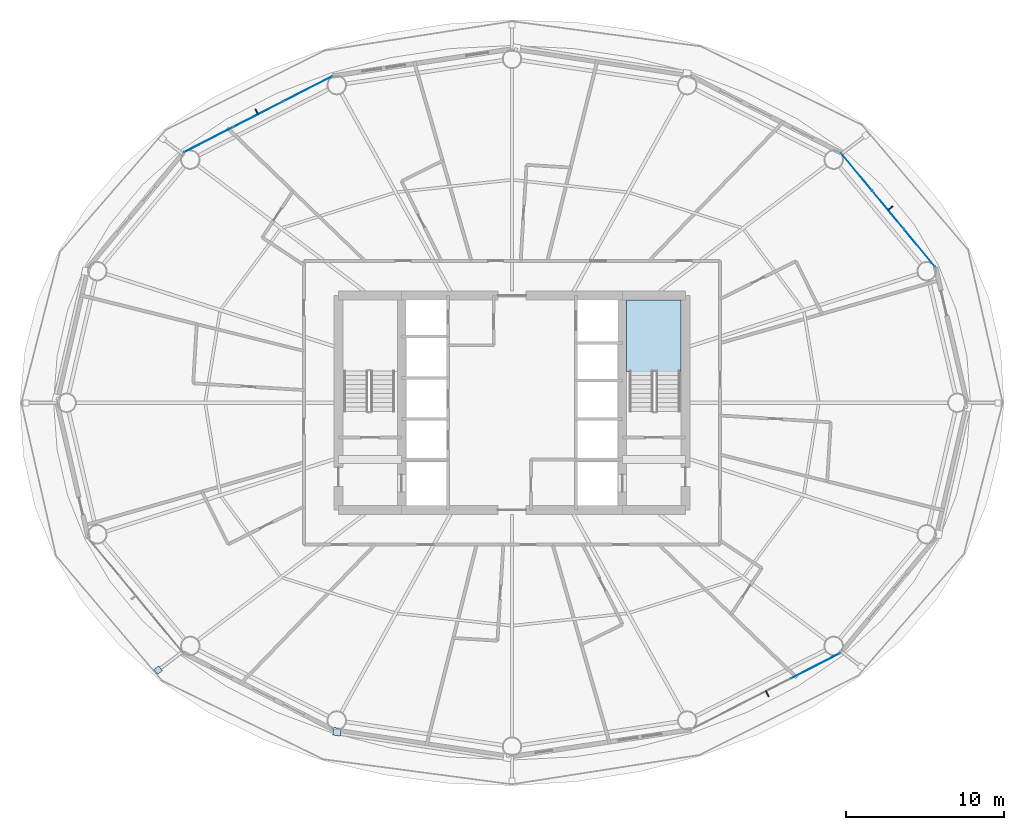
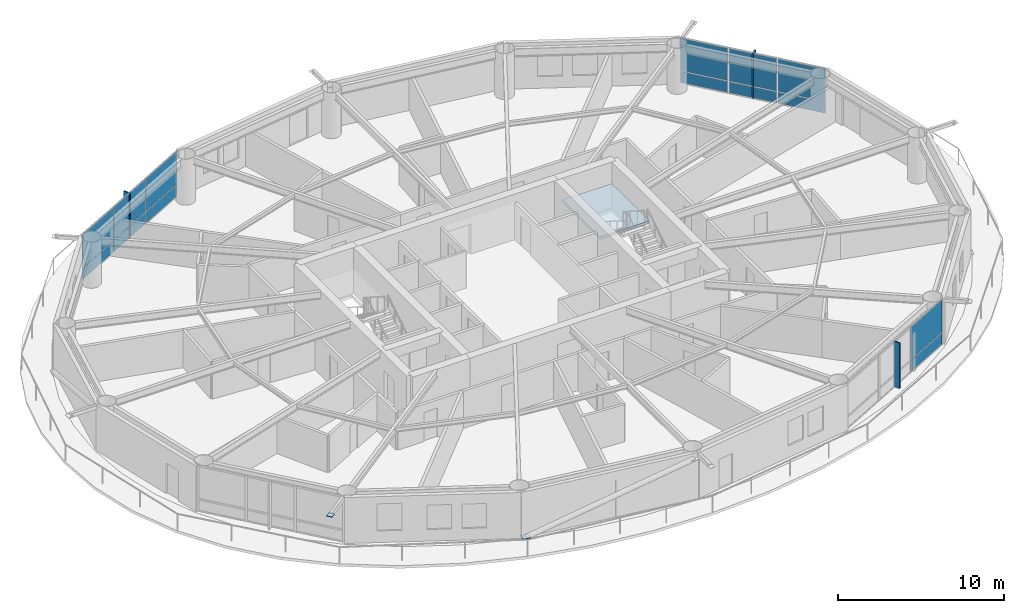
# One storey, part 16 of 24: 19 plates, 1 slab, 4 elements without a shape of their own.
"""IFC4 building model written with IfcOpenShell, lengths in metres."""

from ifc_helpers import new_model, si_unit, direction, frame, origin, origin_2d, place, context, subcontext, project, spatial, polyline, rectangle, outline, extrude, material, layer, layer_set, type_object, element, aggregate, save


model = new_model("IFC4")

# Units and contexts
model_context = context("Model", 3, precision=1e-05, world=origin(), true_north=direction((0.0, 1.0)))
body_context = subcontext(model_context, "Body", "Model", "MODEL_VIEW")
ifc_project = project(units=[si_unit("LENGTHUNIT", "METRE"), si_unit("AREAUNIT", "SQUARE_METRE"), si_unit("VOLUMEUNIT", "CUBIC_METRE"), si_unit("PLANEANGLEUNIT", "RADIAN"), si_unit("MASSUNIT", "GRAM", prefix="KILO")], contexts=[model_context])

# Site, building, storey
site_placement = place(None, origin())
site = spatial("IfcSite", under=ifc_project, at=site_placement, CompositionType="ELEMENT")
building_placement = place(site_placement, origin())
building = spatial("IfcBuilding", under=site, at=building_placement, Name="Sarneth Arch Tower", CompositionType="ELEMENT")
storey_placement = place(building_placement, frame((0.0, 0.0, 98.39990234375)))
storey = spatial("IfcBuildingStorey", under=building, at=storey_placement, Name="L24", CompositionType="ELEMENT", Elevation=98.39990234375)

# Curtain wall, plates
ifc_material_1 = material(Name="Anodised aluminium Type AA25 and solar-control low-e laminated IGU", Category="aluminium")
ifc_layer_1 = layer(ifc_material_1, 0.159912109375)
ifc_layer_set_1 = layer_set([ifc_layer_1], Name="Anodised aluminium Type AA25 and solar-control low-e laminated IGU")
curtain_wall_type = type_object("IfcCurtainWallType", Name="CW-HOTEL-MID", PredefinedType="NOTDEFINED", material=ifc_layer_set_1)
curtain_wall_1_placement = place(storey_placement, origin())
curtain_wall_1 = element("IfcCurtainWall", 1, at=curtain_wall_1_placement, inside=storey, type_object=curtain_wall_type, Name="L24 Unitised curtain wall facet 02", PredefinedType="NOTDEFINED")
ifc_material_2 = material(Name="Solar-control low-e laminated IGU", Category="glass")
ifc_layer_2 = layer(ifc_material_2, 0.028076171875)
ifc_layer_set_2 = layer_set([ifc_layer_2], Name="Solar-control low-e laminated IGU")
plate_type_1 = type_object("IfcPlateType", Name="CW-PANEL", PredefinedType="CURTAIN_PANEL", material=ifc_layer_set_2)
plate_1_placement = place(storey_placement, frame((73.84814453125, 51.807861328125, 0.06005859375), z_axis=(0.0, 0.0, 1.0), x_axis=(-0.637515188684, 0.770437787363, 0.0)))
plate_1 = element("IfcPlate", 2, at=plate_1_placement, type_object=plate_type_1, Name="Curtain wall glazed vision pane CW-L24-F02/P00-00", PredefinedType="CURTAIN_PANEL", context=body_context, shape_type="SweptSolid", body=[
    extrude(rectangle(XDim=3.058349609375, YDim=0.028076171875, at=origin_2d()), origin(), (0.0, 0.0, 1.0), 0.81005859375),
])
plate_2_placement = place(storey_placement, frame((73.84814453125, 51.807861328125, 0.93017578125), z_axis=(0.0, 0.0, 1.0), x_axis=(-0.637515188684, 0.770437787363, 0.0)))
plate_2 = element("IfcPlate", 3, at=plate_2_placement, type_object=plate_type_1, Name="Curtain wall glazed vision pane CW-L24-F02/P00-01", PredefinedType="CURTAIN_PANEL", context=body_context, shape_type="SweptSolid", body=[
    extrude(rectangle(XDim=3.058349609375, YDim=0.028076171875, at=origin_2d()), origin(), (0.0, 0.0, 1.0), 2.389892578125),
])
plate_3_placement = place(storey_placement, frame((71.8505859375, 54.221923828125, 0.06005859375), z_axis=(0.0, 0.0, 1.0), x_axis=(-0.637515188684, 0.770437787363, 0.0)))
plate_3 = element("IfcPlate", 4, at=plate_3_placement, type_object=plate_type_1, Name="Curtain wall glazed vision pane CW-L24-F02/P01-00", PredefinedType="CURTAIN_PANEL", context=body_context, shape_type="SweptSolid", body=[
    extrude(rectangle(XDim=3.08837890625, YDim=0.028076171875, at=origin_2d()), origin(), (0.0, 0.0, 1.0), 0.81005859375),
])
plate_4_placement = place(storey_placement, frame((71.8505859375, 54.221923828125, 0.93017578125), z_axis=(0.0, 0.0, 1.0), x_axis=(-0.637515188684, 0.770437787363, 0.0)))
plate_4 = element("IfcPlate", 5, at=plate_4_placement, type_object=plate_type_1, Name="Curtain wall glazed vision pane CW-L24-F02/P01-01", PredefinedType="CURTAIN_PANEL", context=body_context, shape_type="SweptSolid", body=[
    extrude(rectangle(XDim=3.08837890625, YDim=0.028076171875, at=origin_2d()), origin(), (0.0, 0.0, 1.0), 2.389892578125),
])
plate_5_placement = place(storey_placement, frame((69.85302734375, 56.635986328125, 0.06005859375), z_axis=(0.0, 0.0, 1.0), x_axis=(-0.637515188684, 0.770437787363, 0.0)))
plate_5 = element("IfcPlate", 6, at=plate_5_placement, type_object=plate_type_1, Name="Curtain wall glazed vision pane CW-L24-F02/P02-00", PredefinedType="CURTAIN_PANEL", context=body_context, shape_type="SweptSolid", body=[
    extrude(rectangle(XDim=3.058349609375, YDim=0.028076171875, at=origin_2d()), origin(), (0.0, 0.0, 1.0), 0.81005859375),
])
plate_6_placement = place(storey_placement, frame((69.85302734375, 56.635986328125, 0.93017578125), z_axis=(0.0, 0.0, 1.0), x_axis=(-0.637515188684, 0.770437787363, 0.0)))
plate_6 = element("IfcPlate", 7, at=plate_6_placement, type_object=plate_type_1, Name="Curtain wall glazed vision pane CW-L24-F02/P02-01", PredefinedType="CURTAIN_PANEL", context=body_context, shape_type="SweptSolid", body=[
    extrude(rectangle(XDim=3.058349609375, YDim=0.028076171875, at=origin_2d()), origin(), (0.0, 0.0, 1.0), 2.389892578125),
])
aggregate(curtain_wall_1, [plate_1, plate_2, plate_3, plate_4, plate_5, plate_6])

curtain_wall_2_placement = place(storey_placement, origin())
curtain_wall_2 = element("IfcCurtainWall", 8, at=curtain_wall_2_placement, inside=storey, type_object=curtain_wall_type, Name="L24 Unitised curtain wall facet 06", PredefinedType="NOTDEFINED")
plate_7_placement = place(storey_placement, frame((35.053955078125, 61.905517578125, 0.06005859375), z_axis=(0.0, 0.0, 1.0), x_axis=(-0.889963703649, -0.456031365356, 0.0)))
plate_7 = element("IfcPlate", 9, at=plate_7_placement, type_object=plate_type_1, Name="Curtain wall glazed vision pane CW-L24-F06/P00-00", PredefinedType="CURTAIN_PANEL", context=body_context, shape_type="SweptSolid", body=[
    extrude(rectangle(XDim=3.464111328125, YDim=0.028076171875, at=origin_2d()), origin(), (0.0, 0.0, 1.0), 0.81005859375),
])
plate_8_placement = place(storey_placement, frame((35.053955078125, 61.905517578125, 0.93017578125), z_axis=(0.0, 0.0, 1.0), x_axis=(-0.889963703649, -0.456031365356, 0.0)))
plate_8 = element("IfcPlate", 10, at=plate_8_placement, type_object=plate_type_1, Name="Curtain wall glazed vision pane CW-L24-F06/P00-01", PredefinedType="CURTAIN_PANEL", context=body_context, shape_type="SweptSolid", body=[
    extrude(rectangle(XDim=3.464111328125, YDim=0.028076171875, at=origin_2d()), origin(), (0.0, 0.0, 1.0), 2.389892578125),
])
plate_9_placement = place(storey_placement, frame((31.904296875, 60.29150390625, 0.06005859375), z_axis=(0.0, 0.0, 1.0), x_axis=(-0.889963703649, -0.456031365356, 0.0)))
plate_9 = element("IfcPlate", 11, at=plate_9_placement, type_object=plate_type_1, Name="Curtain wall glazed vision pane CW-L24-F06/P01-00", PredefinedType="CURTAIN_PANEL", context=body_context, shape_type="SweptSolid", body=[
    extrude(rectangle(XDim=3.493896484375, YDim=0.028076171875, at=origin_2d()), origin(), (0.0, 0.0, 1.0), 0.81005859375),
])
plate_10_placement = place(storey_placement, frame((31.904296875, 60.29150390625, 0.93017578125), z_axis=(0.0, 0.0, 1.0), x_axis=(-0.889963703649, -0.456031365356, 0.0)))
plate_10 = element("IfcPlate", 12, at=plate_10_placement, type_object=plate_type_1, Name="Curtain wall glazed vision pane CW-L24-F06/P01-01", PredefinedType="CURTAIN_PANEL", context=body_context, shape_type="SweptSolid", body=[
    extrude(rectangle(XDim=3.493896484375, YDim=0.028076171875, at=origin_2d()), origin(), (0.0, 0.0, 1.0), 2.389892578125),
])
plate_11_placement = place(storey_placement, frame((28.7548828125, 58.677734375, 0.06005859375), z_axis=(0.0, 0.0, 1.0), x_axis=(-0.889963703649, -0.456031365356, 0.0)))
plate_11 = element("IfcPlate", 13, at=plate_11_placement, type_object=plate_type_1, Name="Curtain wall glazed vision pane CW-L24-F06/P02-00", PredefinedType="CURTAIN_PANEL", context=body_context, shape_type="SweptSolid", body=[
    extrude(rectangle(XDim=3.464111328125, YDim=0.028076171875, at=origin_2d()), origin(), (0.0, 0.0, 1.0), 0.81005859375),
])
plate_12_placement = place(storey_placement, frame((28.7548828125, 58.677734375, 0.93017578125), z_axis=(0.0, 0.0, 1.0), x_axis=(-0.889963703649, -0.456031365356, 0.0)))
plate_12 = element("IfcPlate", 14, at=plate_12_placement, type_object=plate_type_1, Name="Curtain wall glazed vision pane CW-L24-F06/P02-01", PredefinedType="CURTAIN_PANEL", context=body_context, shape_type="SweptSolid", body=[
    extrude(rectangle(XDim=3.464111328125, YDim=0.028076171875, at=origin_2d()), origin(), (0.0, 0.0, 1.0), 2.389892578125),
])
aggregate(curtain_wall_2, [plate_7, plate_8, plate_9, plate_10, plate_11, plate_12])

curtain_wall_3_placement = place(storey_placement, origin())
curtain_wall_3 = element("IfcCurtainWall", 15, at=curtain_wall_3_placement, inside=storey, type_object=curtain_wall_type, Name="L24 Unitised curtain wall facet 14", PredefinedType="NOTDEFINED")
plate_13_placement = place(storey_placement, frame((67.2451171875, 25.322265625, 0.06005859375), z_axis=(0.0, 0.0, 1.0), x_axis=(0.889963703649, 0.456031365356, 0.0)))
plate_13 = element("IfcPlate", 16, at=plate_13_placement, type_object=plate_type_1, Name="Curtain wall glazed vision pane CW-L24-F14/P02-00", PredefinedType="CURTAIN_PANEL", context=body_context, shape_type="SweptSolid", body=[
    extrude(rectangle(XDim=3.464111328125, YDim=0.028076171875, at=origin_2d()), origin(), (0.0, 0.0, 1.0), 0.81005859375),
])
plate_14_placement = place(storey_placement, frame((67.2451171875, 25.322265625, 0.93017578125), z_axis=(0.0, 0.0, 1.0), x_axis=(0.889963703649, 0.456031365356, 0.0)))
plate_14 = element("IfcPlate", 17, at=plate_14_placement, type_object=plate_type_1, Name="Curtain wall glazed vision pane CW-L24-F14/P02-01", PredefinedType="CURTAIN_PANEL", context=body_context, shape_type="SweptSolid", body=[
    extrude(rectangle(XDim=3.464111328125, YDim=0.028076171875, at=origin_2d()), origin(), (0.0, 0.0, 1.0), 2.389892578125),
])
aggregate(curtain_wall_3, [plate_13, plate_14])

# Plates
ifc_material_3 = material(Name="Steel S355", Category="steel")
ifc_layer_3 = layer(ifc_material_3, 0.035888671875)
ifc_layer_set_3 = layer_set([ifc_layer_3], Name="Steel S355")
plate_type_2 = type_object("IfcPlateType", Name="PLT-GUSSET-30", PredefinedType="SHEET", material=ifc_layer_set_3)
plate_15_placement = place(storey_placement, frame((25.566650390625, 25.046630859375, 3.2021484375), z_axis=(0.0, 0.0, 1.0), x_axis=(-0.797794439539, -0.602929541689, 0.0)))
element("IfcPlate", 18, at=plate_15_placement, inside=storey, type_object=plate_type_2, Name="Steel end cap plate GP-1", PredefinedType="SHEET", context=body_context, shape_type="SweptSolid", body=[
    extrude(rectangle(XDim=0.3798828125, YDim=0.3798828125, at=origin_2d()), origin(), (0.0, 0.0, 1.0), 0.035888671875),
])
plate_16_placement = place(storey_placement, frame((36.9072265625, 21.140380859375, 0.001953125), z_axis=(0.0, 0.0, 1.0), x_axis=(0.988860535448, -0.148845024885, 0.0)))
element("IfcPlate", 19, at=plate_16_placement, inside=storey, type_object=plate_type_2, Name="Steel end cap plate GP-1", PredefinedType="SHEET", context=body_context, shape_type="SweptSolid", body=[
    extrude(rectangle(XDim=0.486083984375, YDim=0.486083984375, at=origin_2d()), origin(), (0.0, 0.0, 1.0), 0.035888671875),
])
ifc_material_4 = material(Name="Extruded glazed terracotta baguette fin on Aluminium 6063-T6 carrier", Category="masonry")
ifc_layer_4 = layer(ifc_material_4, 0.080078125)
ifc_layer_set_4 = layer_set([ifc_layer_4], Name="Extruded glazed terracotta baguette fin on Aluminium 6063-T6 carrier")
plate_type_3 = type_object("IfcPlateType", Name="SHADE-TERRA-FIN", PredefinedType="SHEET", material=ifc_layer_set_4)
for number, where, z_axis, x_axis, name in (
    (20, (71.981689453125, 54.330322265625, 0.01025390625), (0.0, 0.0, 1.0), (0.770401979567, 0.63755845997, 0.0), "L24 Terracotta vertical shading fin 02"),
    (21, (31.826904296875, 60.44287109375, 0.01025390625), (0.0, 0.0, 1.0), (-0.456010959102, 0.889974159838, 0.0), "L24 Terracotta vertical shading fin 06"),
    (22, (64.173095703125, 23.55712890625, 0.01025390625), (0.0, 0.0, 1.0), (0.456010959102, -0.889974159838, 0.0), "L24 Terracotta vertical shading fin 14"),
):
    element("IfcPlate", number, at=place(storey_placement, frame(where, z_axis=z_axis, x_axis=x_axis)), inside=storey, type_object=plate_type_3, Name=name, PredefinedType="SHEET", context=body_context, shape_type="SweptSolid", body=[
        extrude(rectangle(XDim=0.419921875, YDim=0.080078125, at=origin_2d()), origin(), (0.0, 0.0, 1.0), 3.360107421875),
    ])

# Stair, slab
ifc_material_5 = material(Name="Concrete C50/60", Category="concrete")
stair_type = type_object("IfcStairType", Name="STAIR-CORE-RC", PredefinedType="HALF_TURN_STAIR", material=ifc_material_5)
stair_placement = place(storey_placement, origin())
stair = element("IfcStair", 23, at=stair_placement, inside=storey, type_object=stair_type, Name="L24 Core Exit Stair 2", PredefinedType="HALF_TURN_STAIR")
ifc_material_6 = material(Name="Concrete C50/60", Category="concrete")
ifc_layer_5 = layer(ifc_material_6, 0.199951171875)
ifc_layer_set_5 = layer_set([ifc_layer_5], Name="Concrete C50/60")
slab_type = type_object("IfcSlabType", Name="SLAB-LANDING-200", PredefinedType="LANDING", material=ifc_layer_set_5)
slab_placement = place(storey_placement, frame((0.0, 0.0, 1.60009765625)))
slab = element("IfcSlab", 24, at=slab_placement, type_object=slab_type, Name="ST-2 landing 1", PredefinedType="LANDING", context=body_context, shape_type="SweptSolid", body=[
    extrude(outline(polyline([(55.27490234375, 43.985107421875), (58.72509765625, 43.985107421875), (58.72509765625, 48.52490234375), (55.27490234375, 48.52490234375), (55.27490234375, 43.985107421875)])), origin(), (0.0, 0.0, 1.0), 0.199951171875),
])
aggregate(stair, [slab])

save(model, "model.ifc")
